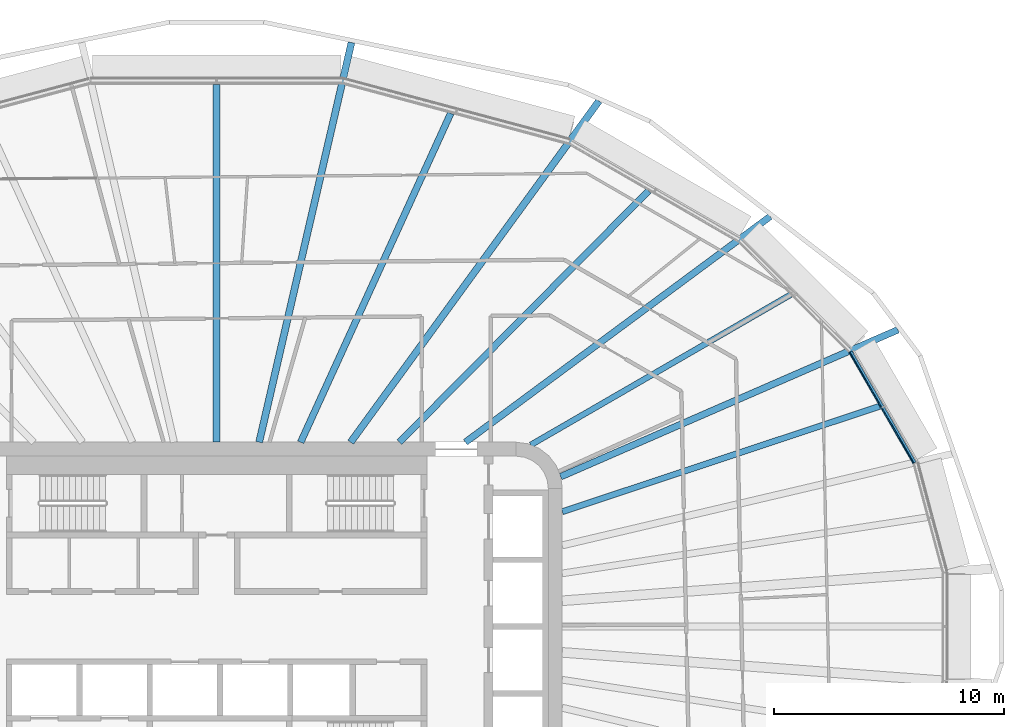
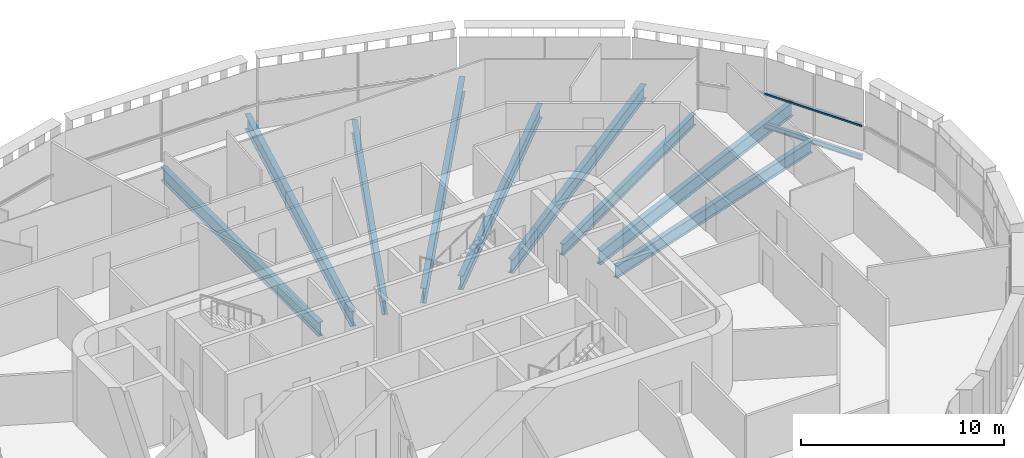
# One storey, part 9 of 26: 10 beams, 1 member, 1 element without a shape of its own.
"""IFC4 building model written with IfcOpenShell, lengths in metres."""

from ifc_helpers import new_model, si_unit, direction, frame, origin, origin_2d, place, context, subcontext, project, spatial, rectangle, i_section, extrude, material, layer, layer_set, material_profile, profile_set, type_object, element, aggregate, save


model = new_model("IFC4")

# Units and contexts
model_context = context("Model", 3, precision=1e-05, world=origin(), true_north=direction((0.0, 1.0)))
body_context = subcontext(model_context, "Body", "Model", "MODEL_VIEW")
ifc_project = project(units=[si_unit("LENGTHUNIT", "METRE"), si_unit("AREAUNIT", "SQUARE_METRE"), si_unit("VOLUMEUNIT", "CUBIC_METRE"), si_unit("PLANEANGLEUNIT", "RADIAN"), si_unit("MASSUNIT", "GRAM", prefix="KILO")], contexts=[model_context])

# Site, building, storey
site_placement = place(None, origin())
site = spatial("IfcSite", under=ifc_project, at=site_placement, CompositionType="ELEMENT")
building_placement = place(site_placement, origin())
building = spatial("IfcBuilding", under=site, at=building_placement, Name="Sahrelin Media Tower", CompositionType="ELEMENT")
storey_placement = place(building_placement, frame((0.0, 0.0, 84.0)))
storey = spatial("IfcBuildingStorey", under=building, at=storey_placement, Name="L15", CompositionType="ELEMENT", Elevation=84.0)

# Beams
ifc_material_1 = material(Name="Steel S355", Category="steel")
ifc_material_profile_1 = material_profile(ifc_material_1, i_section(OverallWidth=0.1650390625, OverallDepth=0.303466796875, WebThickness=0.006103515625, FlangeThickness=0.01025390625, FilletRadius=0.0087890625, at=origin_2d()), Name="UB 305x165x40")
ifc_profile_set_1 = profile_set([ifc_material_profile_1], Name="Steel S355")
beam_type_1 = type_object("IfcBeamType", Name="Edge beam EB2", PredefinedType="BEAM", material=ifc_profile_set_1)
beam_1_placement = place(storey_placement, frame((27.500244140625, 11.923095703125, -0.3017578125), z_axis=(0.499998387408, -0.866026334813, 0.0), x_axis=(0.866026334813, 0.499998387408, 0.0)))
element("IfcBeam", 1, at=beam_1_placement, inside=storey, type_object=beam_type_1, Name="Edge beam L15-23", PredefinedType="BEAM", context=body_context, shape_type="SweptSolid", body=[
    extrude(i_section(OverallWidth=0.1650390625, OverallDepth=0.303466796875, WebThickness=0.006103515625, FlangeThickness=0.01025390625, FilletRadius=0.0087890625, at=origin_2d()), origin(), (0.0, 0.0, 1.0), 5.5654296875),
])
ifc_material_profile_2 = material_profile(ifc_material_1, i_section(OverallWidth=0.291748046875, OverallDepth=0.8349609375, WebThickness=0.013916015625, FlangeThickness=0.018798828125, FilletRadius=0.017822265625, at=origin_2d()), Name="UB 838x292x176")
ifc_profile_set_2 = profile_set([ifc_material_profile_2], Name="Steel S355")
beam_type_2 = type_object("IfcBeamType", Name="Radial primary beam PB10", PredefinedType="BEAM", material=ifc_profile_set_2)
beam_2_placement = place(storey_placement, frame((14.93359375, 6.5048828125, -0.5673828125), z_axis=(0.916802102549, 0.399341839483, 0.0), x_axis=(-0.399341839483, 0.916802102549, 0.0)))
element("IfcBeam", 2, at=beam_2_placement, inside=storey, type_object=beam_type_2, Name="Radial beam L15-03", PredefinedType="BEAM", context=body_context, shape_type="SweptSolid", body=[
    extrude(i_section(OverallWidth=0.291748046875, OverallDepth=0.8349609375, WebThickness=0.013916015625, FlangeThickness=0.018798828125, FilletRadius=0.017822265625, at=origin_2d()), origin(), (0.0, 0.0, 1.0), 15.960693359375),
])
beam_3_placement = place(storey_placement, frame((10.798828125, 8.0, -0.5673828125), z_axis=(0.803534849175, 0.595257714071, 0.0), x_axis=(-0.595257714071, 0.803534849175, 0.0)))
element("IfcBeam", 3, at=beam_3_placement, inside=storey, type_object=beam_type_2, Name="Radial beam L15-04", PredefinedType="BEAM", context=body_context, shape_type="SweptSolid", body=[
    extrude(i_section(OverallWidth=0.291748046875, OverallDepth=0.8349609375, WebThickness=0.013916015625, FlangeThickness=0.018798828125, FilletRadius=0.017822265625, at=origin_2d()), origin(), (0.0, 0.0, 1.0), 16.452880859375),
])
ifc_material_profile_3 = material_profile(ifc_material_1, i_section(OverallWidth=0.30322265625, OverallDepth=0.903076171875, WebThickness=0.01513671875, FlangeThickness=0.020263671875, FilletRadius=0.01904296875, at=origin_2d()), Name="UB 914x305x201")
ifc_profile_set_3 = profile_set([ifc_material_profile_3], Name="Steel S355")
beam_type_3 = type_object("IfcBeamType", Name="Radial primary beam PB11", PredefinedType="BEAM", material=ifc_profile_set_3)
beam_4_placement = place(storey_placement, frame((5.8203125, 8.0, -0.6015625), z_axis=(0.588305671359, 0.808638631928, 0.0), x_axis=(-0.808638631928, 0.588305671359, 0.0)))
element("IfcBeam", 4, at=beam_4_placement, inside=storey, type_object=beam_type_3, Name="Radial beam L15-05", PredefinedType="BEAM", context=body_context, shape_type="SweptSolid", body=[
    extrude(i_section(OverallWidth=0.30322265625, OverallDepth=0.903076171875, WebThickness=0.01513671875, FlangeThickness=0.020263671875, FilletRadius=0.01904296875, at=origin_2d()), origin(), (0.0, 0.0, 1.0), 18.310546875),
])
beam_5_placement = place(storey_placement, frame((1.847900390625, 8.0, -0.6015625), z_axis=(0.225036807982, 0.974350263023, 0.0), x_axis=(-0.974350263023, 0.225036807982, 0.0)))
element("IfcBeam", 5, at=beam_5_placement, inside=storey, type_object=beam_type_3, Name="Radial beam L15-06", PredefinedType="BEAM", context=body_context, shape_type="SweptSolid", body=[
    extrude(i_section(OverallWidth=0.30322265625, OverallDepth=0.903076171875, WebThickness=0.01513671875, FlangeThickness=0.020263671875, FilletRadius=0.01904296875, at=origin_2d()), origin(), (0.0, 0.0, 1.0), 17.7998046875),
])
ifc_material_profile_4 = material_profile(ifc_material_1, i_section(OverallWidth=0.291748046875, OverallDepth=0.8349609375, WebThickness=0.013916015625, FlangeThickness=0.018798828125, FilletRadius=0.017822265625, at=origin_2d()), Name="UB 838x292x176")
ifc_profile_set_4 = profile_set([ifc_material_profile_4], Name="Steel S355")
beam_type_4 = type_object("IfcBeamType", Name="Radial secondary beam SB10", PredefinedType="BEAM", material=ifc_profile_set_4)
beam_6_placement = place(storey_placement, frame((7.93115234375, 8.0, -0.5673828125), z_axis=(0.704056941584, 0.710143522823, 0.0), x_axis=(-0.710143522823, 0.704056941584, 0.0)))
element("IfcBeam", 6, at=beam_6_placement, inside=storey, type_object=beam_type_4, Name="Secondary beam L15-04", PredefinedType="BEAM", context=body_context, shape_type="SweptSolid", body=[
    extrude(i_section(OverallWidth=0.291748046875, OverallDepth=0.8349609375, WebThickness=0.013916015625, FlangeThickness=0.018798828125, FilletRadius=0.017822265625, at=origin_2d()), origin(), (0.0, 0.0, 1.0), 15.362548828125),
])
beam_7_placement = place(storey_placement, frame((3.6494140625, 8.0, -0.5673828125), z_axis=(0.415038402282, 0.909803893502, 0.0), x_axis=(-0.909803893502, 0.415038402282, 0.0)))
element("IfcBeam", 7, at=beam_7_placement, inside=storey, type_object=beam_type_4, Name="Secondary beam L15-05", PredefinedType="BEAM", context=body_context, shape_type="SweptSolid", body=[
    extrude(i_section(OverallWidth=0.291748046875, OverallDepth=0.8349609375, WebThickness=0.013916015625, FlangeThickness=0.018798828125, FilletRadius=0.017822265625, at=origin_2d()), origin(), (0.0, 0.0, 1.0), 15.687744140625),
])
beam_8_placement = place(storey_placement, frame((0.0, 8.0, -0.5673828125), z_axis=(0.0, 1.0, 0.0), x_axis=(-1.0, 0.0, 0.0)))
element("IfcBeam", 8, at=beam_8_placement, inside=storey, type_object=beam_type_4, Name="Secondary beam L15-06", PredefinedType="BEAM", context=body_context, shape_type="SweptSolid", body=[
    extrude(i_section(OverallWidth=0.291748046875, OverallDepth=0.8349609375, WebThickness=0.013916015625, FlangeThickness=0.018798828125, FilletRadius=0.017822265625, at=origin_2d()), origin(), (0.0, 0.0, 1.0), 15.5224609375),
])
ifc_material_profile_5 = material_profile(ifc_material_1, i_section(OverallWidth=0.2529296875, OverallDepth=0.677978515625, WebThickness=0.01171875, FlangeThickness=0.01611328125, FilletRadius=0.01513671875, at=origin_2d()), Name="UB 686x254x125")
ifc_profile_set_5 = profile_set([ifc_material_profile_5], Name="Steel S355")
beam_type_5 = type_object("IfcBeamType", Name="Radial secondary beam SB8", PredefinedType="BEAM", material=ifc_profile_set_5)
beam_9_placement = place(storey_placement, frame((13.63525390625, 7.88330078125, -0.489013671875), z_axis=(0.865726960109, 0.500516563703, 0.0), x_axis=(-0.500516563703, 0.865726960109, 0.0)))
element("IfcBeam", 9, at=beam_9_placement, inside=storey, type_object=beam_type_5, Name="Secondary beam L15-03", PredefinedType="BEAM", context=body_context, shape_type="SweptSolid", body=[
    extrude(i_section(OverallWidth=0.2529296875, OverallDepth=0.677978515625, WebThickness=0.01171875, FlangeThickness=0.01611328125, FilletRadius=0.01513671875, at=origin_2d()), origin(), (0.0, 0.0, 1.0), 13.020263671875),
])
ifc_material_profile_6 = material_profile(ifc_material_1, i_section(OverallWidth=0.26513671875, OverallDepth=0.75390625, WebThickness=0.0126953125, FlangeThickness=0.017578125, FilletRadius=0.0166015625, at=origin_2d()), Name="UB 762x267x147")
ifc_profile_set_6 = profile_set([ifc_material_profile_6], Name="Steel S355")
beam_type_6 = type_object("IfcBeamType", Name="Radial secondary beam SB9", PredefinedType="BEAM", material=ifc_profile_set_6)
beam_10_placement = place(storey_placement, frame((15.0, 4.983642578125, -0.527099609375), z_axis=(0.948994110949, 0.315293795346, 0.0), x_axis=(-0.315293795346, 0.948994110949, 0.0)))
element("IfcBeam", 10, at=beam_10_placement, inside=storey, type_object=beam_type_6, Name="Secondary beam L15-02", PredefinedType="BEAM", context=body_context, shape_type="SweptSolid", body=[
    extrude(i_section(OverallWidth=0.26513671875, OverallDepth=0.75390625, WebThickness=0.0126953125, FlangeThickness=0.017578125, FilletRadius=0.0166015625, at=origin_2d()), origin(), (0.0, 0.0, 1.0), 14.510009765625),
])

# Curtain wall, member
ifc_material_2 = material(Name="Champagne anodised aluminium 6063-T6", Category="aluminium")
ifc_layer = layer(ifc_material_2, 0.14990234375)
ifc_layer_set = layer_set([ifc_layer], Name="Tower ribbon curtain wall")
curtain_wall_type = type_object("IfcCurtainWallType", Name="Tower ribbon curtain wall", PredefinedType="NOTDEFINED", material=ifc_layer_set)
curtain_wall_placement = place(storey_placement, frame((29.021484375, 9.58837890625, 0.0), z_axis=(0.0, 0.0, 1.0), x_axis=(1.0, 0.0, 0.0)))
curtain_wall = element("IfcCurtainWall", 11, at=curtain_wall_placement, inside=storey, type_object=curtain_wall_type, Name="L15:CW:L15-02", PredefinedType="NOTDEFINED")
ifc_material_profile_7 = material_profile(ifc_material_2, rectangle(XDim=0.050048828125, YDim=0.10009765625, at=origin_2d()), Name="Transom 50x100")
ifc_profile_set_7 = profile_set([ifc_material_profile_7], Name="Champagne anodised aluminium 6063-T6")
member_type = type_object("IfcMemberType", Name="Transom 50x100 CW1", PredefinedType="USERDEFINED", material=ifc_profile_set_7)
member_placement = place(storey_placement, frame((30.236083984375, 7.094482421875, 1.60009765625), z_axis=(-0.500001219746, 0.866024699562, 0.0), x_axis=(-0.866024699562, -0.500001219746, 0.0)))
member = element("IfcMember", 12, at=member_placement, type_object=member_type, Name="L15:CWT:L15-02", ObjectType="TRANSOM", PredefinedType="USERDEFINED", context=body_context, shape_type="SweptSolid", body=[
    extrude(rectangle(XDim=0.050048828125, YDim=0.10009765625, at=origin_2d()), origin(), (0.0, 0.0, 1.0), 5.5341796875),
])
aggregate(curtain_wall, [member])

save(model, "model.ifc")
